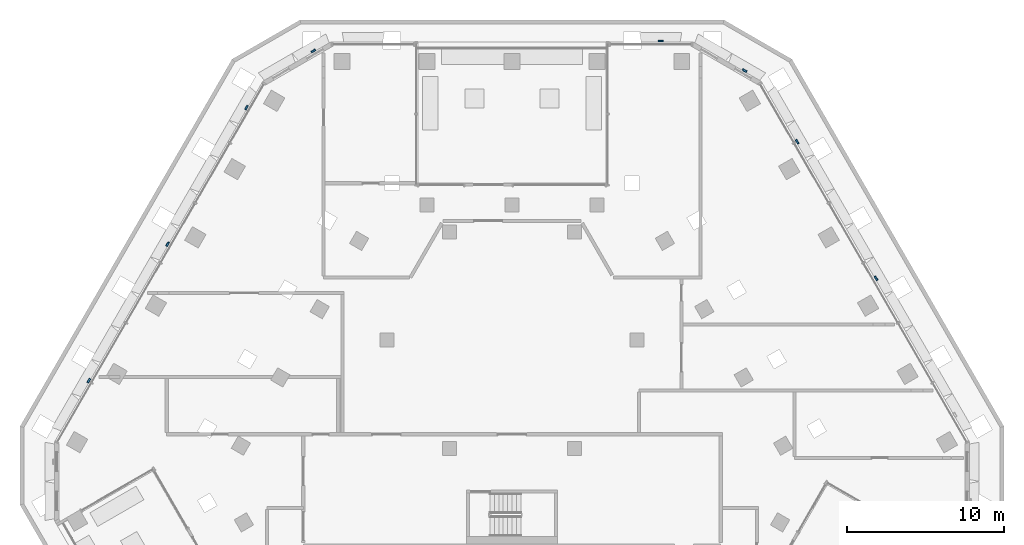
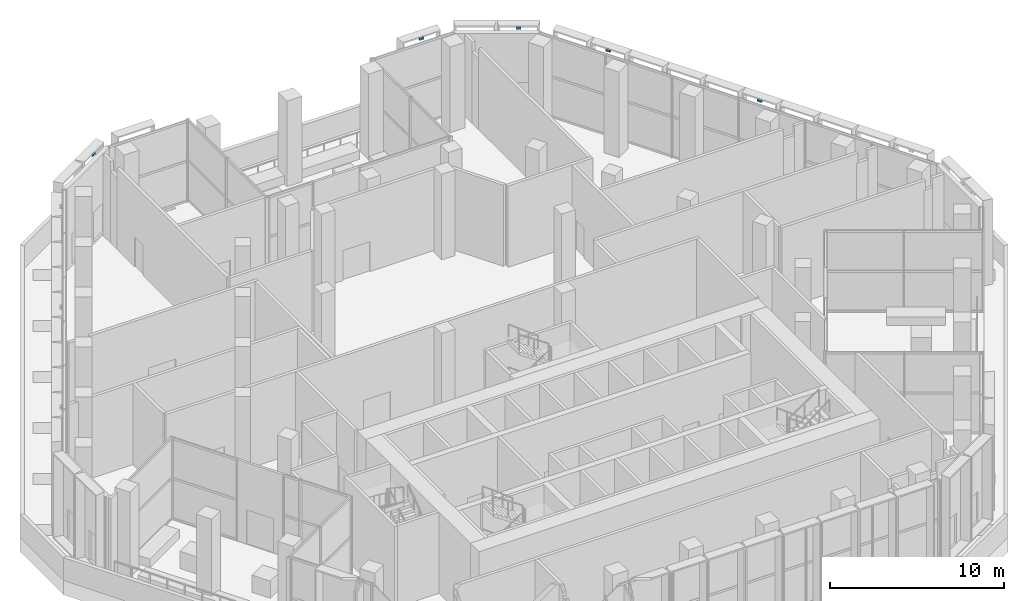
# One storey, part 14 of 23: 8 discrete accessories.
"""IFC4 building model written with IfcOpenShell, lengths in metres."""

from ifc_helpers import new_model, si_unit, direction, frame, origin, place, context, subcontext, project, spatial, polyline, outline, extrude, source, transform, mapped, material, type_object, type_shapes, element, save


model = new_model("IFC4")

# Units and contexts
model_context = context("Model", 3, precision=1e-05, world=origin(), true_north=direction((0.0, 1.0)))
body_context = subcontext(model_context, "Body", "Model", "MODEL_VIEW")
ifc_project = project(units=[si_unit("LENGTHUNIT", "METRE"), si_unit("AREAUNIT", "SQUARE_METRE"), si_unit("VOLUMEUNIT", "CUBIC_METRE"), si_unit("PLANEANGLEUNIT", "RADIAN"), si_unit("MASSUNIT", "GRAM", prefix="KILO")], contexts=[model_context])

# Site, building, storey
site_placement = place(None, origin())
site = spatial("IfcSite", under=ifc_project, at=site_placement, CompositionType="ELEMENT")
building_placement = place(site_placement, origin())
building = spatial("IfcBuilding", under=site, at=building_placement, Name="Beryl Residences", CompositionType="ELEMENT")
storey_placement = place(building_placement, frame((0.0, 0.0, 66.0)))
storey = spatial("IfcBuildingStorey", under=building, at=storey_placement, Name="L20", CompositionType="ELEMENT", Elevation=66.0)

# Discrete accessories
ifc_material = material(Name="Steel S355", Category="steel")
discrete_accessory_type = type_object("IfcDiscreteAccessoryType", Name="BR1 frame bracket 300 x 120 x 150 mm", PredefinedType="BRACKET", material=ifc_material)
shared_shape = source(origin(), body_context, "Body", "SweptSolid", [
    extrude(outline(polyline([(-0.14990234375, 0.0), (0.14990234375, 0.0), (0.14990234375, 0.1201171875), (-0.14990234375, 0.1201171875), (-0.14990234375, 0.0)])), origin(), (0.0, 0.0, 1.0), 0.14990234375),
])
type_shapes(discrete_accessory_type, [shared_shape])
for number, where, z_axis, x_axis, name in (
    (1, (9.471923828125, 27.0, 5.75), (0.0, 0.0, 1.0), (1.0, 0.0, 0.0), "BR1 bracket L20 N 1"),
    (2, (-12.6298828125, 26.375, 5.75), (0.0, 0.0, 1.0), (0.866025403784, 0.5, 0.0), "BR1 bracket L20 N-NW 1"),
    (3, (-16.865966796875, 22.7880859375, 5.75), (0.0, 0.0, 1.0), (0.5, 0.866025403784, 0.0), "BR1 bracket L20 NW 1"),
    (4, (-21.888916015625, 14.087890625, 5.75), (0.0, 0.0, 1.0), (0.5, 0.866025403784, 0.0), "BR1 bracket L20 NW 5"),
    (5, (-26.912109375, 5.387939453125, 5.75), (0.0, 0.0, 1.0), (0.5, 0.866025403784, 0.0), "BR1 bracket L20 NW 9"),
    (6, (23.14501953125, 11.912109375, 5.75), (0.0, 0.0, 1.0), (0.5, -0.866025403784, 0.0), "BR1 bracket L20 NE 5"),
    (7, (18.1220703125, 20.612060546875, 5.75), (0.0, 0.0, 1.0), (0.5, -0.866025403784, 0.0), "BR1 bracket L20 NE 9"),
    (8, (14.7939453125, 25.125, 5.75), (0.0, 0.0, 1.0), (0.866025403784, -0.5, 0.0), "BR1 bracket L20 NE-N 1"),
):
    element("IfcDiscreteAccessory", number, at=place(storey_placement, frame(where, z_axis=z_axis, x_axis=x_axis)), inside=storey, type_object=discrete_accessory_type, Name=name, PredefinedType="BRACKET", context=body_context, shape_type="MappedRepresentation", body=[
        mapped(shared_shape, transform((0.0, 0.0, 0.0))),
    ])

save(model, "model.ifc")
